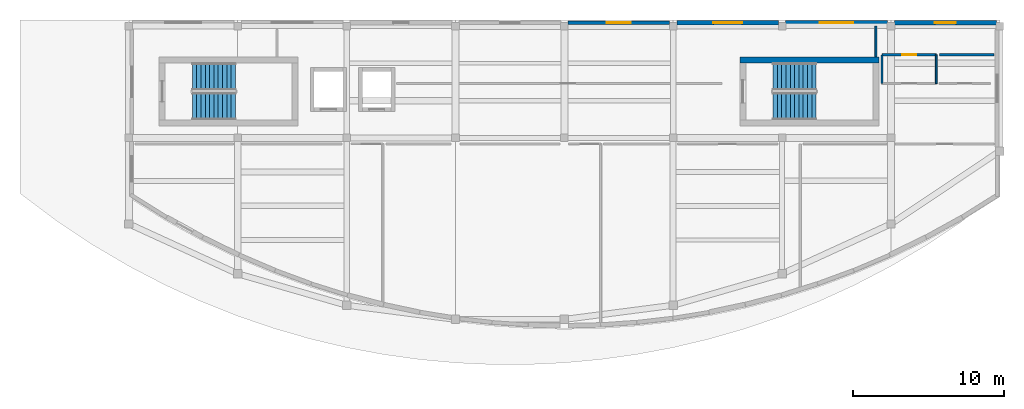
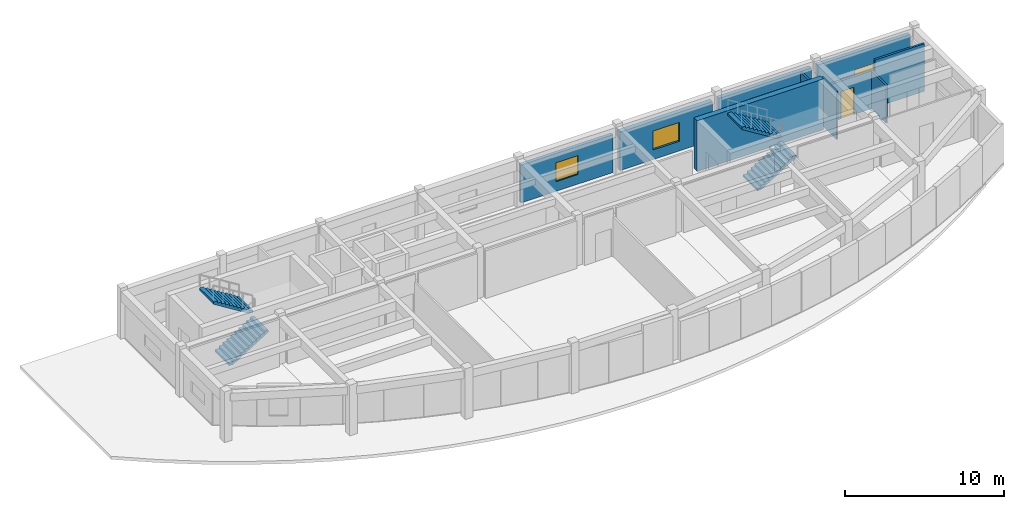
# One storey, part 4 of 6: 10 walls, 4 stair flights, 4 windows, 1 door, 5 openings, 2 elements without a shape of their own.
"""IFC4 building model written with IfcOpenShell, lengths in metres."""

from ifc_helpers import new_model, si_unit, direction, frame, frame_2d, origin, place, context, subcontext, project, spatial, polyline, rectangle, outline, extrude, material, layer, layer_set, type_object, element, fill, aggregate, save


model = new_model("IFC4")

# Units and contexts
model_context = context("Model", 3, precision=1e-05, world=origin(), true_north=direction((0.0, 1.0)))
body_context = subcontext(model_context, "Body", "Model", "MODEL_VIEW")
ifc_project = project(units=[si_unit("LENGTHUNIT", "METRE"), si_unit("AREAUNIT", "SQUARE_METRE"), si_unit("VOLUMEUNIT", "CUBIC_METRE"), si_unit("PLANEANGLEUNIT", "RADIAN"), si_unit("MASSUNIT", "GRAM", prefix="KILO")], contexts=[model_context])

# Site, building, storey
site_placement = place(None, origin())
site = spatial("IfcSite", under=ifc_project, at=site_placement, CompositionType="ELEMENT")
building_placement = place(site_placement, origin())
building = spatial("IfcBuilding", under=site, at=building_placement, Name="Brisavento Harbour Community Centre", CompositionType="ELEMENT")
storey_placement = place(building_placement, frame((0.0, 0.0, 20.699951171875)))
storey = spatial("IfcBuildingStorey", under=building, at=storey_placement, Name="L05", CompositionType="ELEMENT", Elevation=20.699951171875)

# Wall
ifc_material_1 = material(Name="Concrete C40/50", Category="concrete")
ifc_layer_1 = layer(ifc_material_1, 0.39990234375, Name="Concrete C40/50")
ifc_layer_set_1 = layer_set([ifc_layer_1], Name="Concrete C40/50")
wall_type_1 = type_object("IfcWallType", Name="WL-CORE-400", PredefinedType="SHEAR", material=ifc_layer_set_1)
wall_1_placement = place(storey_placement, frame((164.800048828125, 20.14990234375, 0.0), z_axis=(0.0, 0.0, 1.0), x_axis=(-1.0, 0.0, 0.0)))
element("IfcWall", 1, at=wall_1_placement, inside=storey, type_object=wall_type_1, Name="L05 core C3B shear wall R", PredefinedType="SHEAR", context=body_context, shape_type="SweptSolid", body=[
    extrude(rectangle(XDim=9.199951171875, YDim=0.39990234375, at=frame_2d((4.60009765625, 0.0))), origin(), (0.0, 0.0, 1.0), 3.900146484375),
])

# Wall, opening, window
ifc_material_2 = material(Name="Terracotta masonry unit", Category="masonry")
ifc_layer_2 = layer(ifc_material_2, 0.239990234375, Name="Terracotta masonry unit")
ifc_layer_set_2 = layer_set([ifc_layer_2], Name="Terracotta masonry unit")
wall_type_2 = type_object("IfcWallType", Name="WL-EXT-240", PredefinedType="SOLIDWALL", material=ifc_layer_set_2)
wall_2_placement = place(storey_placement, frame((144.235107421875, 22.6201171875, 0.0), z_axis=(0.0, 0.0, 1.0), x_axis=(1.0, 0.0, 0.0)))
wall_2 = element("IfcWall", 2, at=wall_2_placement, inside=storey, type_object=wall_type_2, Name="L05 V3 exterior wall 0373", PredefinedType="SOLIDWALL", context=body_context, shape_type="SweptSolid", body=[
    extrude(rectangle(XDim=6.72998046875, YDim=0.239990234375, at=frame_2d((3.364990234375, 0.0))), origin(), (0.0, 0.0, 1.0), 2.91015625),
])
opening_1_placement = place(wall_2_placement, frame((2.56494140625, 0.0, 0.75)))
opening_1 = element("IfcOpeningElement", 3, at=opening_1_placement, cuts=wall_2, Name="Opening W-31", PredefinedType="OPENING", context=body_context, shape_type="SweptSolid", body=[
    extrude(rectangle(XDim=1.60009765625, YDim=1.449951171875, at=frame_2d((0.800048828125, 0.72509765625))), frame((0.0, 0.1298828125, 0.0), z_axis=(0.0, -1.0, 0.0), x_axis=(1.0, 0.0, 0.0)), (0.0, 0.0, 1.0), 0.260009765625),
])
ifc_material_3 = material(Name="Solar-control laminated low-E glass", Category="glass")
window_type_1 = type_object("IfcWindowType", Name="WIN-CAS-31", PartitioningType="SINGLE_PANEL", PredefinedType="WINDOW", material=ifc_material_3)
window_1_placement = place(opening_1_placement, origin())
window_1 = element("IfcWindow", 4, at=window_1_placement, inside=storey, type_object=window_type_1, Name="L05 V3 impact casement window 0211", OverallHeight=1.449951171875, OverallWidth=1.60009765625, PartitioningType="SINGLE_PANEL", PredefinedType="WINDOW", context=body_context, shape_type="SweptSolid", body=[
    extrude(rectangle(XDim=1.60009765625, YDim=1.449951171875, at=frame_2d((0.800048828125, 0.72509765625))), frame((0.0, 0.030029296875, 0.0), z_axis=(0.0, -1.0, 0.0), x_axis=(1.0, 0.0, 0.0)), (0.0, 0.0, 1.0), 0.06005859375),
])
fill(opening_1, window_1)

ifc_material_4 = material(Name="Precast concrete C40/50", Category="concrete")
ifc_layer_3 = layer(ifc_material_4, 0.280029296875, Name="Precast concrete C40/50")
ifc_layer_set_3 = layer_set([ifc_layer_3], Name="Precast concrete C40/50")
wall_type_3 = type_object("IfcWallType", Name="WL-EXT-280", PredefinedType="SOLIDWALL", material=ifc_layer_set_3)
wall_3_placement = place(storey_placement, frame((165.8349609375, 22.6201171875, 0.0), z_axis=(0.0, 0.0, 1.0), x_axis=(1.0, 0.0, 0.0)))
wall_3 = element("IfcWall", 5, at=wall_3_placement, inside=storey, type_object=wall_type_3, Name="L05 V3 exterior wall 0376", PredefinedType="SOLIDWALL", context=body_context, shape_type="SweptSolid", body=[
    extrude(rectangle(XDim=6.72998046875, YDim=0.280029296875, at=frame_2d((3.364990234375, 0.0))), origin(), (0.0, 0.0, 1.0), 3.06005859375),
])
opening_2_placement = place(wall_3_placement, frame((2.6650390625, 0.0, 0.89990234375)))
opening_2 = element("IfcOpeningElement", 6, at=opening_2_placement, cuts=wall_3, Name="Opening W-34", PredefinedType="OPENING", context=body_context, shape_type="SweptSolid", body=[
    extrude(rectangle(XDim=1.39990234375, YDim=0.85009765625, at=frame_2d((0.699951171875, 0.425048828125))), frame((0.0, 0.14990234375, 0.0), z_axis=(0.0, -1.0, 0.0), x_axis=(1.0, 0.0, 0.0)), (0.0, 0.0, 1.0), 0.300048828125),
])
window_type_2 = type_object("IfcWindowType", Name="WIN-CAS-34", PartitioningType="SINGLE_PANEL", PredefinedType="WINDOW", material=ifc_material_3)
window_2_placement = place(opening_2_placement, origin())
window_2 = element("IfcWindow", 7, at=window_2_placement, inside=storey, type_object=window_type_2, Name="L05 V3 impact casement window 0214", OverallHeight=0.85009765625, OverallWidth=1.39990234375, PartitioningType="SINGLE_PANEL", PredefinedType="WINDOW", context=body_context, shape_type="SweptSolid", body=[
    extrude(rectangle(XDim=1.39990234375, YDim=0.85009765625, at=frame_2d((0.699951171875, 0.425048828125))), frame((0.0, 0.030029296875, 0.0), z_axis=(0.0, -1.0, 0.0), x_axis=(1.0, 0.0, 0.0)), (0.0, 0.0, 1.0), 0.06005859375),
])
fill(opening_2, window_2)

ifc_material_5 = material(Name="Concrete C35/45", Category="concrete")
ifc_layer_4 = layer(ifc_material_5, 0.300048828125, Name="Concrete C35/45")
ifc_layer_set_4 = layer_set([ifc_layer_4], Name="Concrete C35/45")
wall_type_4 = type_object("IfcWallType", Name="WL-EXT-300", PredefinedType="SOLIDWALL", material=ifc_layer_set_4)
wall_4_placement = place(storey_placement, frame((158.635009765625, 22.6201171875, 0.0), z_axis=(0.0, 0.0, 1.0), x_axis=(1.0, 0.0, 0.0)))
wall_4 = element("IfcWall", 8, at=wall_4_placement, inside=storey, type_object=wall_type_4, Name="L05 V3 exterior wall 0375", PredefinedType="SOLIDWALL", context=body_context, shape_type="SweptSolid", body=[
    extrude(rectangle(XDim=6.72998046875, YDim=0.300048828125, at=frame_2d((3.364990234375, 0.0))), origin(), (0.0, 0.0, 1.0), 3.010009765625),
])
opening_3_placement = place(wall_4_placement, frame((2.264892578125, 0.0, 0.75)))
opening_3 = element("IfcOpeningElement", 9, at=opening_3_placement, cuts=wall_4, Name="Opening W-33", PredefinedType="OPENING", context=body_context, shape_type="SweptSolid", body=[
    extrude(rectangle(XDim=2.199951171875, YDim=1.449951171875, at=frame_2d((1.10009765625, 0.72509765625))), frame((0.0, 0.16015625, 0.0), z_axis=(0.0, -1.0, 0.0), x_axis=(1.0, 0.0, 0.0)), (0.0, 0.0, 1.0), 0.320068359375),
])
window_type_3 = type_object("IfcWindowType", Name="WIN-CAS-33", PartitioningType="SINGLE_PANEL", PredefinedType="WINDOW", material=ifc_material_3)
window_3_placement = place(opening_3_placement, origin())
window_3 = element("IfcWindow", 10, at=window_3_placement, inside=storey, type_object=window_type_3, Name="L05 V3 impact casement window 0213", OverallHeight=1.449951171875, OverallWidth=2.199951171875, PartitioningType="SINGLE_PANEL", PredefinedType="WINDOW", context=body_context, shape_type="SweptSolid", body=[
    extrude(rectangle(XDim=2.199951171875, YDim=1.449951171875, at=frame_2d((1.10009765625, 0.72509765625))), frame((0.0, 0.030029296875, 0.0), z_axis=(0.0, -1.0, 0.0), x_axis=(1.0, 0.0, 0.0)), (0.0, 0.0, 1.0), 0.06005859375),
])
fill(opening_3, window_3)

ifc_layer_5 = layer(ifc_material_5, 0.320068359375, Name="Concrete C35/45")
ifc_layer_set_5 = layer_set([ifc_layer_5], Name="Concrete C35/45")
wall_type_5 = type_object("IfcWallType", Name="WL-EXT-320", PredefinedType="SOLIDWALL", material=ifc_layer_set_5)
wall_5_placement = place(storey_placement, frame((151.43505859375, 22.6201171875, 0.0), z_axis=(0.0, 0.0, 1.0), x_axis=(1.0, 0.0, 0.0)))
wall_5 = element("IfcWall", 11, at=wall_5_placement, inside=storey, type_object=wall_type_5, Name="L05 V3 exterior wall 0374", PredefinedType="SOLIDWALL", context=body_context, shape_type="SweptSolid", body=[
    extrude(rectangle(XDim=6.72998046875, YDim=0.320068359375, at=frame_2d((3.364990234375, 0.0))), origin(), (0.0, 0.0, 1.0), 2.9599609375),
])
opening_4_placement = place(wall_5_placement, frame((2.4150390625, 0.0, 0.75)))
opening_4 = element("IfcOpeningElement", 12, at=opening_4_placement, cuts=wall_5, Name="Opening W-32", PredefinedType="OPENING", context=body_context, shape_type="SweptSolid", body=[
    extrude(rectangle(XDim=1.89990234375, YDim=1.449951171875, at=frame_2d((0.949951171875, 0.72509765625))), frame((0.0, 0.169921875, 0.0), z_axis=(0.0, -1.0, 0.0), x_axis=(1.0, 0.0, 0.0)), (0.0, 0.0, 1.0), 0.340087890625),
])
window_type_4 = type_object("IfcWindowType", Name="WIN-CAS-32", PartitioningType="SINGLE_PANEL", PredefinedType="WINDOW", material=ifc_material_3)
window_4_placement = place(opening_4_placement, origin())
window_4 = element("IfcWindow", 13, at=window_4_placement, inside=storey, type_object=window_type_4, Name="L05 V3 impact casement window 0212", OverallHeight=1.449951171875, OverallWidth=1.89990234375, PartitioningType="SINGLE_PANEL", PredefinedType="WINDOW", context=body_context, shape_type="SweptSolid", body=[
    extrude(rectangle(XDim=1.89990234375, YDim=1.449951171875, at=frame_2d((0.949951171875, 0.72509765625))), frame((0.0, 0.030029296875, 0.0), z_axis=(0.0, -1.0, 0.0), x_axis=(1.0, 0.0, 0.0)), (0.0, 0.0, 1.0), 0.06005859375),
])
fill(opening_4, window_4)

# Walls
ifc_material_6 = material(Name="Gypsum metal-stud partition", Category="other")
ifc_layer_6 = layer(ifc_material_6, 0.1201171875, Name="Gypsum metal-stud partition")
ifc_layer_set_6 = layer_set([ifc_layer_6], Name="Gypsum metal-stud partition")
wall_type_6 = type_object("IfcWallType", Name="WL-PRT-120", PredefinedType="PARTITIONING", material=ifc_layer_set_6)
wall_6_placement = place(storey_placement, frame((164.60009765625, 20.360107421875, 0.0), z_axis=(0.0, 0.0, 1.0), x_axis=(0.0, 1.0, 0.0)))
element("IfcWall", 14, at=wall_6_placement, inside=storey, type_object=wall_type_6, Name="L05 Digital Archive Reading Study partition 0318", PredefinedType="PARTITIONING", context=body_context, shape_type="SweptSolid", body=[
    extrude(rectangle(XDim=2.039794921875, YDim=0.1201171875, at=frame_2d((1.02001953125, 0.0))), origin(), (0.0, 0.0, 1.0), 3.010009765625),
])
wall_7_placement = place(storey_placement, frame((168.60009765625, 18.60009765625, 0.0), z_axis=(0.0, 0.0, 1.0), x_axis=(0.0, 1.0, 0.0)))
element("IfcWall", 15, at=wall_7_placement, inside=storey, type_object=wall_type_6, Name="L05 Male WC L05 partition 0322", PredefinedType="PARTITIONING", context=body_context, shape_type="SweptSolid", body=[
    extrude(rectangle(XDim=1.89990234375, YDim=0.1201171875, at=frame_2d((0.949951171875, 0.0))), origin(), (0.0, 0.0, 1.0), 2.900146484375),
])
ifc_layer_7 = layer(ifc_material_6, 0.139892578125, Name="Gypsum metal-stud partition")
ifc_layer_set_7 = layer_set([ifc_layer_7], Name="Gypsum metal-stud partition")
wall_type_7 = type_object("IfcWallType", Name="WL-PRT-140", PredefinedType="PARTITIONING", material=ifc_layer_set_7)
wall_8_placement = place(storey_placement, frame((165.0, 20.5, 0.0), z_axis=(0.0, 0.0, 1.0), x_axis=(0.0, -1.0, 0.0)))
element("IfcWall", 16, at=wall_8_placement, inside=storey, type_object=wall_type_7, Name="L05 Male WC L05 partition 0321", PredefinedType="PARTITIONING", context=body_context, shape_type="SweptSolid", body=[
    extrude(rectangle(XDim=1.89990234375, YDim=0.139892578125, at=frame_2d((0.949951171875, 0.0))), origin(), (0.0, 0.0, 1.0), 3.66015625),
])

# Wall, opening, door
ifc_material_7 = material(Name="Moisture-resistant stud partition", Category="other")
ifc_layer_8 = layer(ifc_material_7, 0.14990234375, Name="Moisture-resistant stud partition")
ifc_layer_set_8 = layer_set([ifc_layer_8], Name="Moisture-resistant stud partition")
wall_type_8 = type_object("IfcWallType", Name="WL-PRT-150", PredefinedType="PARTITIONING", material=ifc_layer_set_8)
wall_9_placement = place(storey_placement, frame((168.60009765625, 20.5, 0.0), z_axis=(0.0, 0.0, 1.0), x_axis=(-1.0, 0.0, 0.0)))
wall_9 = element("IfcWall", 17, at=wall_9_placement, inside=storey, type_object=wall_type_8, Name="L05 Male WC L05 partition 0320", PredefinedType="PARTITIONING", context=body_context, shape_type="SweptSolid", body=[
    extrude(rectangle(XDim=3.60009765625, YDim=0.14990234375, at=frame_2d((1.800048828125, 0.0))), origin(), (0.0, 0.0, 1.0), 2.91015625),
])
opening_5_placement = place(wall_9_placement, frame((1.340087890625, 0.0, 0.0)))
opening_5 = element("IfcOpeningElement", 18, at=opening_5_placement, cuts=wall_9, Name="Opening WD-01", PredefinedType="OPENING", context=body_context, shape_type="SweptSolid", body=[
    extrude(rectangle(XDim=0.919921875, YDim=2.10009765625, at=frame_2d((0.4599609375, 1.050048828125))), frame((0.0, 0.0849609375, 0.0), z_axis=(0.0, -1.0, 0.0), x_axis=(1.0, 0.0, 0.0)), (0.0, 0.0, 1.0), 0.169921875),
])
ifc_material_8 = material(Name="Moisture-resistant laminate door", Category="other")
door_type = type_object("IfcDoorType", Name="DR-WC-092x210", OperationType="NOTDEFINED", PredefinedType="DOOR", material=ifc_material_8)
door_placement = place(opening_5_placement, origin())
door = element("IfcDoor", 19, at=door_placement, inside=storey, type_object=door_type, Name="L05 Accessible WC L05 door 0123", OperationType="SINGLE_SWING_RIGHT", OverallHeight=2.10009765625, OverallWidth=0.919921875, PredefinedType="DOOR", context=body_context, shape_type="SweptSolid", body=[
    extrude(rectangle(XDim=0.919921875, YDim=2.10009765625, at=frame_2d((0.4599609375, 1.050048828125))), frame((0.0, 0.02490234375, 0.0), z_axis=(0.0, -1.0, 0.0), x_axis=(1.0, 0.0, 0.0)), (0.0, 0.0, 1.0), 0.050048828125),
])
fill(opening_5, door)

# Wall
wall_10_placement = place(storey_placement, frame((172.39990234375, 20.5, 0.0), z_axis=(0.0, 0.0, 1.0), x_axis=(-1.0, 0.0, 0.0)))
element("IfcWall", 20, at=wall_10_placement, inside=storey, type_object=wall_type_8, Name="L05 Female WC L05 partition 0324", PredefinedType="PARTITIONING", context=body_context, shape_type="SweptSolid", body=[
    extrude(rectangle(XDim=3.599853515625, YDim=0.14990234375, at=frame_2d((1.7998046875, 0.0))), origin(), (0.0, 0.0, 1.0), 3.66015625),
])

# Stair, stair flights
stair_type = type_object("IfcStairType", Name="STR-DL-3900", PredefinedType="HALF_TURN_STAIR", material=ifc_material_5)
stair_1_placement = place(storey_placement, origin())
stair_1 = element("IfcStair", 21, at=stair_1_placement, inside=storey, type_object=stair_type, Name="L05 ST-04", PredefinedType="HALF_TURN_STAIR")
stair_flight_type = type_object("IfcStairFlightType", Name="FLT-DL-3900", PredefinedType="STRAIGHT", material=ifc_material_5)
stair_flight_1_placement = place(storey_placement, frame((119.39990234375, 17.10009765625, 0.0), z_axis=(0.0, 0.0, 1.0), x_axis=(1.0, 0.0, 0.0)))
stair_flight_1 = element("IfcStairFlight", 22, at=stair_flight_1_placement, type_object=stair_flight_type, Name="ST-04 flight 1", NumberOfRisers=11, NumberOfTreads=10, PredefinedType="STRAIGHT", RiserHeight=0.177272727, TreadLength=0.285, context=body_context, shape_type="SweptSolid", body=[
    extrude(outline(polyline([(0.0, 0.0), (0.0, 0.17724609375), (0.284912109375, 0.17724609375), (0.284912109375, 0.3544921875), (0.570068359375, 0.3544921875), (0.570068359375, 0.53173828125), (0.85498046875, 0.53173828125), (0.85498046875, 0.708984375), (1.139892578125, 0.708984375), (1.139892578125, 0.886474609375), (1.425048828125, 0.886474609375), (1.425048828125, 1.063720703125), (1.7099609375, 1.063720703125), (1.7099609375, 1.240966796875), (1.9951171875, 1.240966796875), (1.9951171875, 1.418212890625), (2.280029296875, 1.418212890625), (2.280029296875, 1.595458984375), (2.56494140625, 1.595458984375), (2.56494140625, 1.772705078125), (2.85009765625, 1.772705078125), (2.85009765625, 1.949951171875), (2.85009765625, 1.59619140625), (0.283935546875, 0.0), (0.0, 0.0)])), frame((0.0, 0.89990234375, 0.0), z_axis=(0.0, -1.0, 0.0), x_axis=(1.0, 0.0, 0.0)), (0.0, 0.0, 1.0), 1.800048828125),
])
stair_flight_2_placement = place(storey_placement, frame((122.25, 19.050048828125, 1.949951171875), z_axis=(0.0, 0.0, 1.0), x_axis=(-1.0, 0.0, 0.0)))
stair_flight_2 = element("IfcStairFlight", 23, at=stair_flight_2_placement, type_object=stair_flight_type, Name="ST-04 flight 2", NumberOfRisers=11, NumberOfTreads=10, PredefinedType="STRAIGHT", RiserHeight=0.177272727, TreadLength=0.285, context=body_context, shape_type="SweptSolid", body=[
    extrude(outline(polyline([(0.0, 0.0), (0.0, 0.17724609375), (0.284912109375, 0.17724609375), (0.284912109375, 0.3544921875), (0.570068359375, 0.3544921875), (0.570068359375, 0.53173828125), (0.85498046875, 0.53173828125), (0.85498046875, 0.708984375), (1.139892578125, 0.708984375), (1.139892578125, 0.886474609375), (1.425048828125, 0.886474609375), (1.425048828125, 1.063720703125), (1.7099609375, 1.063720703125), (1.7099609375, 1.240966796875), (1.9951171875, 1.240966796875), (1.9951171875, 1.418212890625), (2.280029296875, 1.418212890625), (2.280029296875, 1.595458984375), (2.56494140625, 1.595458984375), (2.56494140625, 1.772705078125), (2.85009765625, 1.772705078125), (2.85009765625, 1.949951171875), (2.85009765625, 1.59619140625), (0.283935546875, 0.0), (0.0, 0.0)])), frame((0.0, 0.89990234375, 0.0), z_axis=(0.0, -1.0, 0.0), x_axis=(1.0, 0.0, 0.0)), (0.0, 0.0, 1.0), 1.800048828125),
])
aggregate(stair_1, [stair_flight_1, stair_flight_2])

stair_2_placement = place(storey_placement, origin())
stair_2 = element("IfcStair", 24, at=stair_2_placement, inside=storey, type_object=stair_type, Name="L05 ST-05", PredefinedType="HALF_TURN_STAIR")
stair_flight_3_placement = place(storey_placement, frame((157.800048828125, 17.10009765625, 0.0), z_axis=(0.0, 0.0, 1.0), x_axis=(1.0, 0.0, 0.0)))
stair_flight_3 = element("IfcStairFlight", 25, at=stair_flight_3_placement, type_object=stair_flight_type, Name="ST-05 flight 1", NumberOfRisers=11, NumberOfTreads=10, PredefinedType="STRAIGHT", RiserHeight=0.177272727, TreadLength=0.285, context=body_context, shape_type="SweptSolid", body=[
    extrude(outline(polyline([(0.0, 0.0), (0.0, 0.17724609375), (0.284912109375, 0.17724609375), (0.284912109375, 0.3544921875), (0.570068359375, 0.3544921875), (0.570068359375, 0.53173828125), (0.85498046875, 0.53173828125), (0.85498046875, 0.708984375), (1.139892578125, 0.708984375), (1.139892578125, 0.886474609375), (1.425048828125, 0.886474609375), (1.425048828125, 1.063720703125), (1.7099609375, 1.063720703125), (1.7099609375, 1.240966796875), (1.9951171875, 1.240966796875), (1.9951171875, 1.418212890625), (2.280029296875, 1.418212890625), (2.280029296875, 1.595458984375), (2.56494140625, 1.595458984375), (2.56494140625, 1.772705078125), (2.85009765625, 1.772705078125), (2.85009765625, 1.949951171875), (2.85009765625, 1.59619140625), (0.283935546875, 0.0), (0.0, 0.0)])), frame((0.0, 0.89990234375, 0.0), z_axis=(0.0, -1.0, 0.0), x_axis=(1.0, 0.0, 0.0)), (0.0, 0.0, 1.0), 1.800048828125),
])
stair_flight_4_placement = place(storey_placement, frame((160.64990234375, 19.050048828125, 1.949951171875), z_axis=(0.0, 0.0, 1.0), x_axis=(-1.0, 0.0, 0.0)))
stair_flight_4 = element("IfcStairFlight", 26, at=stair_flight_4_placement, type_object=stair_flight_type, Name="ST-05 flight 2", NumberOfRisers=11, NumberOfTreads=10, PredefinedType="STRAIGHT", RiserHeight=0.177272727, TreadLength=0.285, context=body_context, shape_type="SweptSolid", body=[
    extrude(outline(polyline([(0.0, 0.0), (0.0, 0.17724609375), (0.284912109375, 0.17724609375), (0.284912109375, 0.3544921875), (0.570068359375, 0.3544921875), (0.570068359375, 0.53173828125), (0.85498046875, 0.53173828125), (0.85498046875, 0.708984375), (1.139892578125, 0.708984375), (1.139892578125, 0.886474609375), (1.425048828125, 0.886474609375), (1.425048828125, 1.063720703125), (1.7099609375, 1.063720703125), (1.7099609375, 1.240966796875), (1.9951171875, 1.240966796875), (1.9951171875, 1.418212890625), (2.280029296875, 1.418212890625), (2.280029296875, 1.595458984375), (2.56494140625, 1.595458984375), (2.56494140625, 1.772705078125), (2.85009765625, 1.772705078125), (2.85009765625, 1.949951171875), (2.85009765625, 1.59619140625), (0.283935546875, 0.0), (0.0, 0.0)])), frame((0.0, 0.89990234375, 0.0), z_axis=(0.0, -1.0, 0.0), x_axis=(1.0, 0.0, 0.0)), (0.0, 0.0, 1.0), 1.800048828125),
])
aggregate(stair_2, [stair_flight_3, stair_flight_4])

save(model, "model.ifc")
